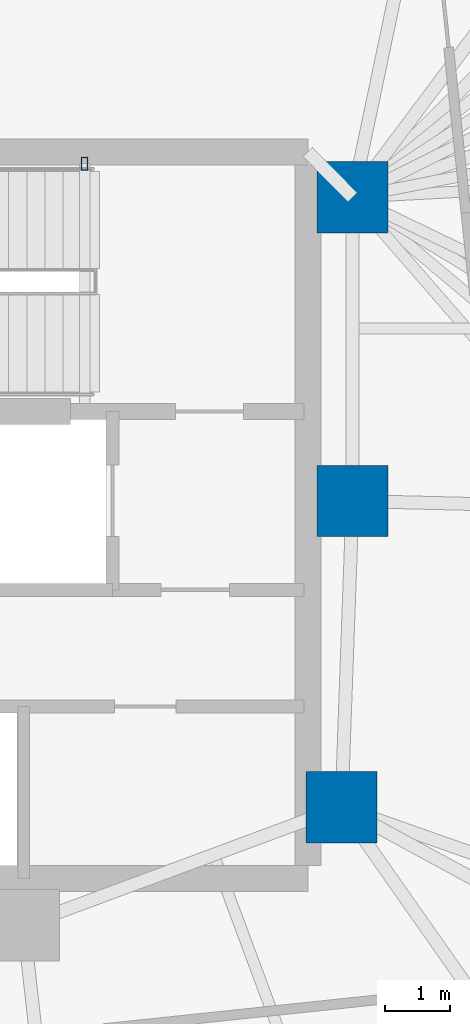
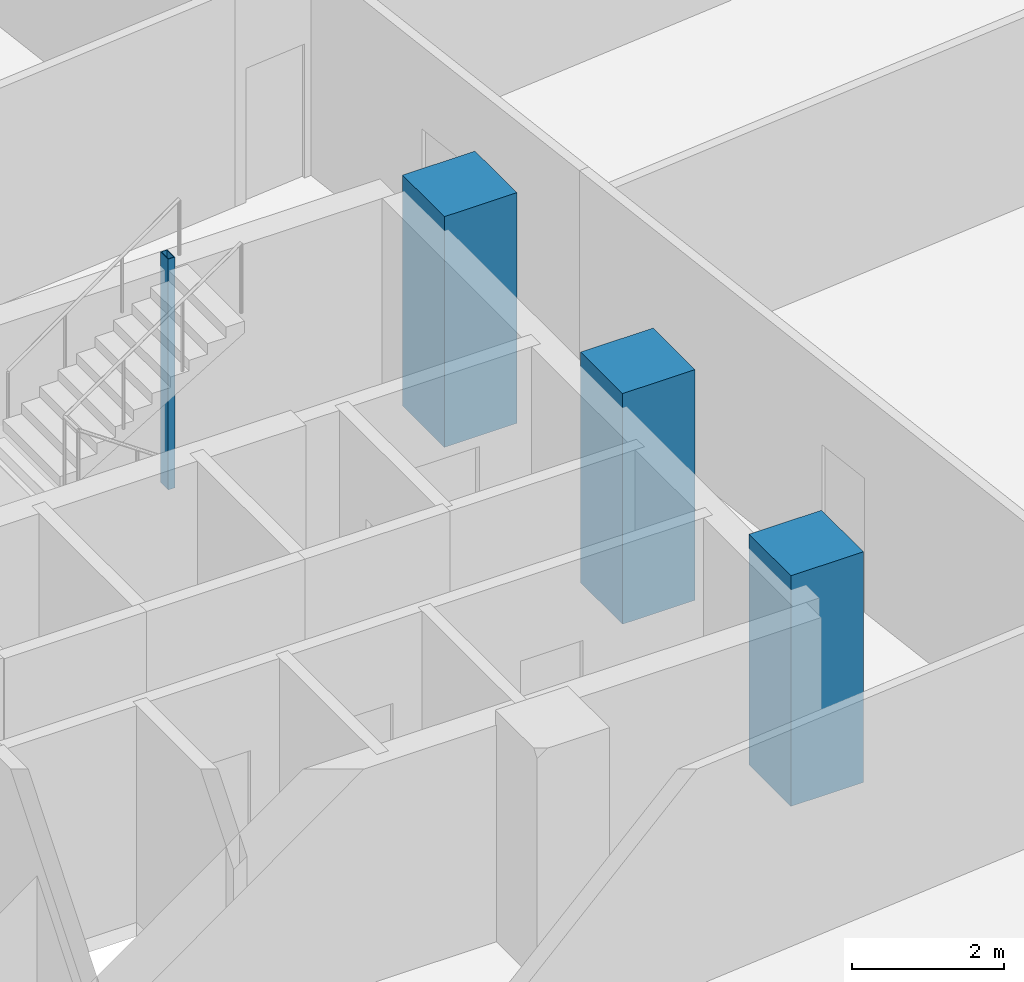
# One storey, part 4 of 18: 4 columns.
"""IFC4 building model written with IfcOpenShell, lengths in metres."""

from ifc_helpers import new_model, si_unit, direction, frame, origin, origin_2d, place, context, subcontext, project, spatial, rectangle, hollow_rectangle, extrude, material, material_profile, profile_set, type_object, element, save


model = new_model("IFC4")

# Units and contexts
model_context = context("Model", 3, precision=1e-05, world=origin(), true_north=direction((0.0, 1.0)))
body_context = subcontext(model_context, "Body", "Model", "MODEL_VIEW")
ifc_project = project(units=[si_unit("LENGTHUNIT", "METRE"), si_unit("AREAUNIT", "SQUARE_METRE"), si_unit("VOLUMEUNIT", "CUBIC_METRE"), si_unit("PLANEANGLEUNIT", "RADIAN"), si_unit("MASSUNIT", "GRAM", prefix="KILO")], contexts=[model_context])

# Site, building, storey
site_placement = place(None, origin())
site = spatial("IfcSite", under=ifc_project, at=site_placement, CompositionType="ELEMENT")
building_placement = place(site_placement, origin())
building = spatial("IfcBuilding", under=site, at=building_placement, Name="Menara Jurai Vektor", CompositionType="ELEMENT")
storey_placement = place(building_placement, frame((0.0, 0.0, 135.5)))
storey = spatial("IfcBuildingStorey", under=building, at=storey_placement, Name="L34", CompositionType="ELEMENT", Elevation=135.5)

# Columns
ifc_material_1 = material(Name="Concrete C50/60", Category="concrete")
ifc_material_profile_1 = material_profile(ifc_material_1, rectangle(XDim=1.10009765625, YDim=1.10009765625, at=origin_2d()), Name="RC 1100x1100")
ifc_profile_set_1 = profile_set([ifc_material_profile_1], Name="Concrete C50/60")
column_type_1 = type_object("IfcColumnType", Name="STR-COL-RC1100", PredefinedType="COLUMN", material=ifc_profile_set_1)
for number, where, z_axis, x_axis, name in (
    (1, (15.25, 4.89990234375, 0.0), (0.0, 0.0, 1.0), (1.0, 0.0, 0.0), "Core Spine Column CE-NE L34"),
    (2, (15.25, 0.219970703125, 0.0), (0.0, 0.0, 1.0), (1.0, 0.0, 0.0), "Core Spine Column CE-EM L34"),
    (3, (15.080078125, -4.5, 0.0), (0.0, 0.0, 1.0), (1.0, 0.0, 0.0), "Core Spine Column CE-SE L34"),
):
    element("IfcColumn", number, at=place(storey_placement, frame(where, z_axis=z_axis, x_axis=x_axis)), inside=storey, type_object=column_type_1, Name=name, PredefinedType="COLUMN", context=body_context, shape_type="SweptSolid", body=[
        extrude(rectangle(XDim=1.10009765625, YDim=1.10009765625, at=origin_2d()), origin(), (0.0, 0.0, 1.0), 3.699951171875),
    ])
ifc_material_2 = material(Name="Steel S355", Category="steel")
ifc_material_profile_2 = material_profile(ifc_material_2, hollow_rectangle(XDim=0.10009765625, YDim=0.199951171875, WallThickness=0.008056640625, at=origin_2d()), Name="RHS 200x100x8")
ifc_profile_set_2 = profile_set([ifc_material_profile_2], Name="Steel S355")
column_type_2 = type_object("IfcColumnType", Name="STR-COL-STAIR", PredefinedType="COLUMN", material=ifc_profile_set_2)
column_placement = place(storey_placement, frame((11.1201171875, 5.419921875, 0.0), z_axis=(0.0, 0.0, 1.0), x_axis=(1.0, 0.0, 0.0)))
element("IfcColumn", 4, at=column_placement, inside=storey, type_object=column_type_2, Name="Stair Well Header Column ST2-P2 L34", PredefinedType="COLUMN", context=body_context, shape_type="SweptSolid", body=[
    extrude(hollow_rectangle(XDim=0.10009765625, YDim=0.199951171875, WallThickness=0.008056640625, at=origin_2d()), origin(), (0.0, 0.0, 1.0), 3.699951171875),
])

save(model, "model.ifc")
